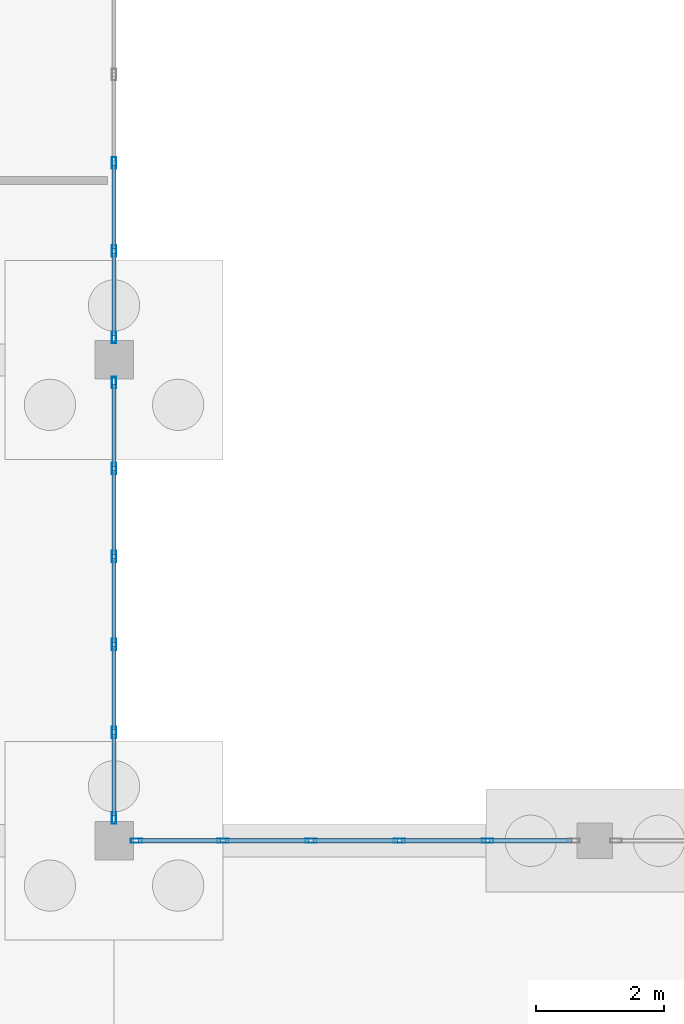
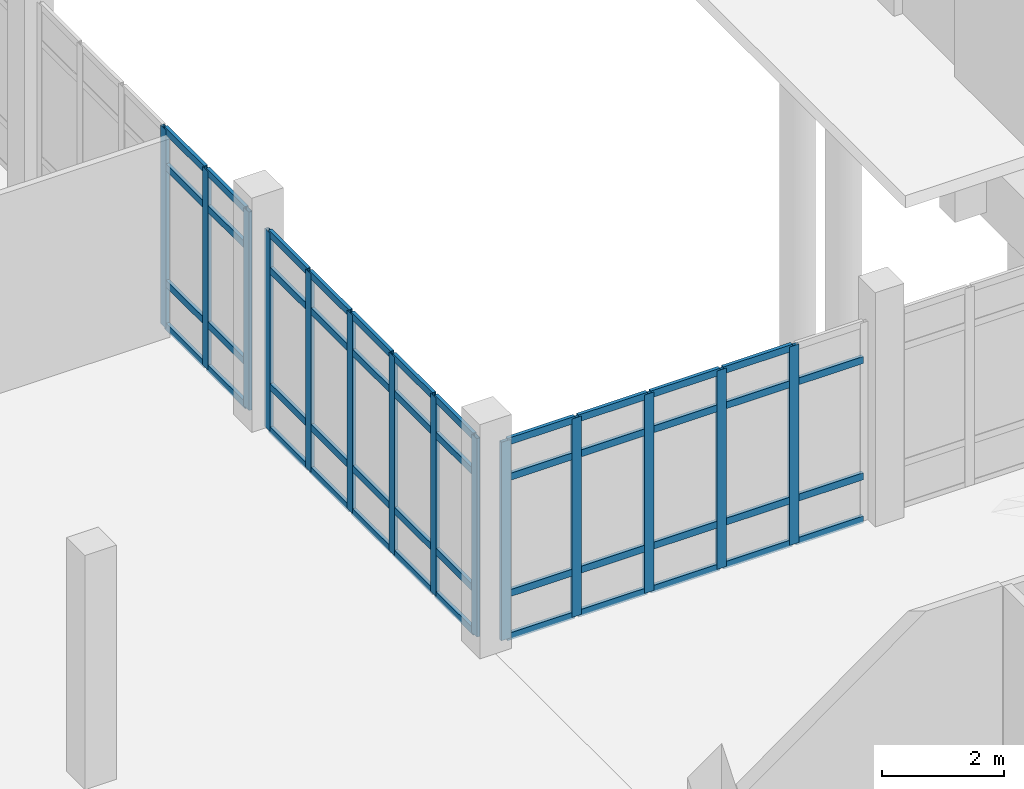
# One storey, part 47 of 173: 61 members, 3 elements without a shape of their own.
"""IFC4 building model written with IfcOpenShell, lengths in metres."""

from ifc_helpers import new_model, si_unit, direction, frame, origin, origin_2d, place, context, subcontext, project, spatial, hollow_rectangle, extrude, material, layer, layer_set, material_profile, profile_set, type_object, element, aggregate, save


model = new_model("IFC4")

# Units and contexts
model_context = context("Model", 3, precision=1e-05, world=origin(), true_north=direction((0.0, 1.0)))
body_context = subcontext(model_context, "Body", "Model", "MODEL_VIEW")
ifc_project = project(units=[si_unit("LENGTHUNIT", "METRE"), si_unit("AREAUNIT", "SQUARE_METRE"), si_unit("VOLUMEUNIT", "CUBIC_METRE"), si_unit("PLANEANGLEUNIT", "RADIAN"), si_unit("MASSUNIT", "GRAM", prefix="KILO")], contexts=[model_context])

# Site, building, storey
site_placement = place(None, origin())
site = spatial("IfcSite", under=ifc_project, at=site_placement, CompositionType="ELEMENT")
building_placement = place(site_placement, origin())
building = spatial("IfcBuilding", under=site, at=building_placement, Name="Mawjan Specialist Oncology Clinic", CompositionType="ELEMENT")
storey_placement = place(building_placement, origin())
storey = spatial("IfcBuildingStorey", under=building, at=storey_placement, Name="L00", CompositionType="ELEMENT", Elevation=0.0)

# Curtain wall, members
ifc_material_1 = material(Name="Unitised spectrally selective aluminium curtain wall", Category="aluminium")
ifc_layer_1 = layer(ifc_material_1, 0.179931640625, Name="Unitised spectrally selective aluminium curtain wall", Category="aluminium")
ifc_layer_set_1 = layer_set([ifc_layer_1], Name="Unitised spectrally selective aluminium curtain wall")
curtain_wall_type_1 = type_object("IfcCurtainWallType", Name="CW-22", PredefinedType="NOTDEFINED", material=ifc_layer_set_1)
curtain_wall_1_placement = place(storey_placement, origin())
curtain_wall_1 = element("IfcCurtainWall", 1, at=curtain_wall_1_placement, inside=storey, type_object=curtain_wall_type_1, Name="L00 Unitised Curtain Wall CW-L00-039", PredefinedType="NOTDEFINED")
ifc_material_2 = material(Name="Thermally broken aluminium 6063-T6", Category="aluminium")
ifc_material_profile_1 = material_profile(ifc_material_2, hollow_rectangle(XDim=0.06494140625, YDim=0.179931640625, WallThickness=0.00390625, at=origin_2d()), Name="ALU MULLION 180x65x4", Category="aluminium")
ifc_profile_set_1 = profile_set([ifc_material_profile_1], Name="Thermally broken aluminium 6063-T6")
member_type_1 = type_object("IfcMemberType", Name="CW-M180", PredefinedType="MULLION", material=ifc_profile_set_1)
member_1_placement = place(storey_placement, frame((45.3525390625, 53.300048828125, 0.0), z_axis=(0.0, 0.0, 1.0), x_axis=(0.0, 1.0, 0.0)))
member_1 = element("IfcMember", 2, at=member_1_placement, type_object=member_type_1, Name="CW-22 mullion 1", PredefinedType="MULLION", context=body_context, shape_type="SweptSolid", body=[
    extrude(hollow_rectangle(XDim=0.06494140625, YDim=0.179931640625, WallThickness=0.00390625, at=origin_2d()), origin(), (0.0, 0.0, 1.0), 3.985107421875),
])
member_2_placement = place(storey_placement, frame((46.697021484375, 53.300048828125, 0.0), z_axis=(0.0, 0.0, 1.0), x_axis=(0.0, 1.0, 0.0)))
member_2 = element("IfcMember", 3, at=member_2_placement, type_object=member_type_1, Name="CW-22 mullion 2", PredefinedType="MULLION", context=body_context, shape_type="SweptSolid", body=[
    extrude(hollow_rectangle(XDim=0.06494140625, YDim=0.179931640625, WallThickness=0.00390625, at=origin_2d()), origin(), (0.0, 0.0, 1.0), 3.985107421875),
])
member_3_placement = place(storey_placement, frame((48.073974609375, 53.300048828125, 0.0), z_axis=(0.0, 0.0, 1.0), x_axis=(0.0, 1.0, 0.0)))
member_3 = element("IfcMember", 4, at=member_3_placement, type_object=member_type_1, Name="CW-22 mullion 3", PredefinedType="MULLION", context=body_context, shape_type="SweptSolid", body=[
    extrude(hollow_rectangle(XDim=0.06494140625, YDim=0.179931640625, WallThickness=0.00390625, at=origin_2d()), origin(), (0.0, 0.0, 1.0), 3.985107421875),
])
member_4_placement = place(storey_placement, frame((49.450927734375, 53.300048828125, 0.0), z_axis=(0.0, 0.0, 1.0), x_axis=(0.0, 1.0, 0.0)))
member_4 = element("IfcMember", 5, at=member_4_placement, type_object=member_type_1, Name="CW-22 mullion 4", PredefinedType="MULLION", context=body_context, shape_type="SweptSolid", body=[
    extrude(hollow_rectangle(XDim=0.06494140625, YDim=0.179931640625, WallThickness=0.00390625, at=origin_2d()), origin(), (0.0, 0.0, 1.0), 3.985107421875),
])
member_5_placement = place(storey_placement, frame((50.827880859375, 53.300048828125, 0.0), z_axis=(0.0, 0.0, 1.0), x_axis=(0.0, 1.0, 0.0)))
member_5 = element("IfcMember", 6, at=member_5_placement, type_object=member_type_1, Name="CW-22 mullion 5", PredefinedType="MULLION", context=body_context, shape_type="SweptSolid", body=[
    extrude(hollow_rectangle(XDim=0.06494140625, YDim=0.179931640625, WallThickness=0.00390625, at=origin_2d()), origin(), (0.0, 0.0, 1.0), 3.985107421875),
])

curtain_wall_2_placement = place(storey_placement, origin())
curtain_wall_2 = element("IfcCurtainWall", 7, at=curtain_wall_2_placement, inside=storey, type_object=curtain_wall_type_1, Name="L00 Unitised Curtain Wall CW-L00-046", PredefinedType="NOTDEFINED")
member_6_placement = place(storey_placement, frame((45.0, 63.8740234375, 0.0), z_axis=(0.0, 0.0, 1.0), x_axis=(1.0, 0.0, 0.0)))
member_6 = element("IfcMember", 8, at=member_6_placement, type_object=member_type_1, Name="CW-22 mullion 4", PredefinedType="MULLION", context=body_context, shape_type="SweptSolid", body=[
    extrude(hollow_rectangle(XDim=0.06494140625, YDim=0.179931640625, WallThickness=0.00390625, at=origin_2d()), origin(), (0.0, 0.0, 1.0), 3.985107421875),
])
member_7_placement = place(storey_placement, frame((45.0, 62.4970703125, 0.0), z_axis=(0.0, 0.0, 1.0), x_axis=(1.0, 0.0, 0.0)))
member_7 = element("IfcMember", 9, at=member_7_placement, type_object=member_type_1, Name="CW-22 mullion 5", PredefinedType="MULLION", context=body_context, shape_type="SweptSolid", body=[
    extrude(hollow_rectangle(XDim=0.06494140625, YDim=0.179931640625, WallThickness=0.00390625, at=origin_2d()), origin(), (0.0, 0.0, 1.0), 3.985107421875),
])
member_8_placement = place(storey_placement, frame((45.0, 61.152587890625, 0.0), z_axis=(0.0, 0.0, 1.0), x_axis=(1.0, 0.0, 0.0)))
member_8 = element("IfcMember", 10, at=member_8_placement, type_object=member_type_1, Name="CW-22 mullion 6", PredefinedType="MULLION", context=body_context, shape_type="SweptSolid", body=[
    extrude(hollow_rectangle(XDim=0.06494140625, YDim=0.179931640625, WallThickness=0.00390625, at=origin_2d()), origin(), (0.0, 0.0, 1.0), 3.985107421875),
])

ifc_material_3 = material(Name="Unitised spectrally selective aluminium curtain wall", Category="aluminium")
ifc_layer_2 = layer(ifc_material_3, 0.179931640625, Name="Unitised spectrally selective aluminium curtain wall", Category="aluminium")
ifc_layer_set_2 = layer_set([ifc_layer_2], Name="Unitised spectrally selective aluminium curtain wall")
curtain_wall_type_2 = type_object("IfcCurtainWallType", Name="CW-27", PredefinedType="NOTDEFINED", material=ifc_layer_set_2)
curtain_wall_3_placement = place(storey_placement, origin())
curtain_wall_3 = element("IfcCurtainWall", 11, at=curtain_wall_3_placement, inside=storey, type_object=curtain_wall_type_2, Name="L00 Unitised Curtain Wall CW-L00-047", PredefinedType="NOTDEFINED")
member_9_placement = place(storey_placement, frame((45.0, 60.447509765625, 0.0), z_axis=(0.0, 0.0, 1.0), x_axis=(1.0, 0.0, 0.0)))
member_9 = element("IfcMember", 12, at=member_9_placement, type_object=member_type_1, Name="CW-27 mullion 1", PredefinedType="MULLION", context=body_context, shape_type="SweptSolid", body=[
    extrude(hollow_rectangle(XDim=0.06494140625, YDim=0.179931640625, WallThickness=0.00390625, at=origin_2d()), origin(), (0.0, 0.0, 1.0), 3.985107421875),
])
member_10_placement = place(storey_placement, frame((45.0, 59.10791015625, 0.0), z_axis=(0.0, 0.0, 1.0), x_axis=(1.0, 0.0, 0.0)))
member_10 = element("IfcMember", 13, at=member_10_placement, type_object=member_type_1, Name="CW-27 mullion 2", PredefinedType="MULLION", context=body_context, shape_type="SweptSolid", body=[
    extrude(hollow_rectangle(XDim=0.06494140625, YDim=0.179931640625, WallThickness=0.00390625, at=origin_2d()), origin(), (0.0, 0.0, 1.0), 3.985107421875),
])
member_11_placement = place(storey_placement, frame((45.0, 57.736083984375, 0.0), z_axis=(0.0, 0.0, 1.0), x_axis=(1.0, 0.0, 0.0)))
member_11 = element("IfcMember", 14, at=member_11_placement, type_object=member_type_1, Name="CW-27 mullion 3", PredefinedType="MULLION", context=body_context, shape_type="SweptSolid", body=[
    extrude(hollow_rectangle(XDim=0.06494140625, YDim=0.179931640625, WallThickness=0.00390625, at=origin_2d()), origin(), (0.0, 0.0, 1.0), 3.985107421875),
])
member_12_placement = place(storey_placement, frame((45.0, 56.364013671875, 0.0), z_axis=(0.0, 0.0, 1.0), x_axis=(1.0, 0.0, 0.0)))
member_12 = element("IfcMember", 15, at=member_12_placement, type_object=member_type_1, Name="CW-27 mullion 4", PredefinedType="MULLION", context=body_context, shape_type="SweptSolid", body=[
    extrude(hollow_rectangle(XDim=0.06494140625, YDim=0.179931640625, WallThickness=0.00390625, at=origin_2d()), origin(), (0.0, 0.0, 1.0), 3.985107421875),
])
member_13_placement = place(storey_placement, frame((45.0, 54.991943359375, 0.0), z_axis=(0.0, 0.0, 1.0), x_axis=(1.0, 0.0, 0.0)))
member_13 = element("IfcMember", 16, at=member_13_placement, type_object=member_type_1, Name="CW-27 mullion 5", PredefinedType="MULLION", context=body_context, shape_type="SweptSolid", body=[
    extrude(hollow_rectangle(XDim=0.06494140625, YDim=0.179931640625, WallThickness=0.00390625, at=origin_2d()), origin(), (0.0, 0.0, 1.0), 3.985107421875),
])
member_14_placement = place(storey_placement, frame((45.0, 53.652587890625, 0.0), z_axis=(0.0, 0.0, 1.0), x_axis=(1.0, 0.0, 0.0)))
member_14 = element("IfcMember", 17, at=member_14_placement, type_object=member_type_1, Name="CW-27 mullion 6", PredefinedType="MULLION", context=body_context, shape_type="SweptSolid", body=[
    extrude(hollow_rectangle(XDim=0.06494140625, YDim=0.179931640625, WallThickness=0.00390625, at=origin_2d()), origin(), (0.0, 0.0, 1.0), 3.985107421875),
])

# Member
ifc_material_4 = material(Name="Thermally broken aluminium 6063-T6", Category="aluminium")
ifc_material_profile_2 = material_profile(ifc_material_4, hollow_rectangle(XDim=0.06494140625, YDim=0.139892578125, WallThickness=0.00390625, at=origin_2d()), Name="ALU TRANSOM 140x65x4", Category="aluminium")
ifc_profile_set_2 = profile_set([ifc_material_profile_2], Name="Thermally broken aluminium 6063-T6")
member_type_2 = type_object("IfcMemberType", Name="CW-T140", PredefinedType="USERDEFINED", material=ifc_profile_set_2)
member_15_placement = place(storey_placement, frame((45.385009765625, 53.300048828125, 0.032470703125), z_axis=(1.0, 0.0, 0.0), x_axis=(0.0, 1.0, 0.0)))
member_15 = element("IfcMember", 18, at=member_15_placement, type_object=member_type_2, Name="CW-22 transom 1.1", ObjectType="TRANSOM", PredefinedType="USERDEFINED", context=body_context, shape_type="SweptSolid", body=[
    extrude(hollow_rectangle(XDim=0.06494140625, YDim=0.139892578125, WallThickness=0.00390625, at=origin_2d()), origin(), (0.0, 0.0, 1.0), 1.279541015625),
])

member_16_placement = place(storey_placement, frame((45.385009765625, 53.300048828125, 0.89990234375), z_axis=(1.0, 0.0, 0.0), x_axis=(0.0, 1.0, 0.0)))
member_16 = element("IfcMember", 19, at=member_16_placement, type_object=member_type_2, Name="CW-22 transom 1.2", ObjectType="TRANSOM", PredefinedType="USERDEFINED", context=body_context, shape_type="SweptSolid", body=[
    extrude(hollow_rectangle(XDim=0.06494140625, YDim=0.139892578125, WallThickness=0.00390625, at=origin_2d()), origin(), (0.0, 0.0, 1.0), 1.279541015625),
])

member_17_placement = place(storey_placement, frame((45.385009765625, 53.300048828125, 3.235107421875), z_axis=(1.0, 0.0, 0.0), x_axis=(0.0, 1.0, 0.0)))
member_17 = element("IfcMember", 20, at=member_17_placement, type_object=member_type_2, Name="CW-22 transom 1.3", ObjectType="TRANSOM", PredefinedType="USERDEFINED", context=body_context, shape_type="SweptSolid", body=[
    extrude(hollow_rectangle(XDim=0.06494140625, YDim=0.139892578125, WallThickness=0.00390625, at=origin_2d()), origin(), (0.0, 0.0, 1.0), 1.279541015625),
])

member_18_placement = place(storey_placement, frame((45.385009765625, 53.300048828125, 3.952392578125), z_axis=(1.0, 0.0, 0.0), x_axis=(0.0, 1.0, 0.0)))
member_18 = element("IfcMember", 21, at=member_18_placement, type_object=member_type_2, Name="CW-22 transom 1.4", ObjectType="TRANSOM", PredefinedType="USERDEFINED", context=body_context, shape_type="SweptSolid", body=[
    extrude(hollow_rectangle(XDim=0.06494140625, YDim=0.139892578125, WallThickness=0.00390625, at=origin_2d()), origin(), (0.0, 0.0, 1.0), 1.279541015625),
])

member_19_placement = place(storey_placement, frame((46.7294921875, 53.300048828125, 0.032470703125), z_axis=(1.0, 0.0, 0.0), x_axis=(0.0, 1.0, 0.0)))
member_19 = element("IfcMember", 22, at=member_19_placement, type_object=member_type_2, Name="CW-22 transom 2.1", ObjectType="TRANSOM", PredefinedType="USERDEFINED", context=body_context, shape_type="SweptSolid", body=[
    extrude(hollow_rectangle(XDim=0.06494140625, YDim=0.139892578125, WallThickness=0.00390625, at=origin_2d()), origin(), (0.0, 0.0, 1.0), 1.31201171875),
])

member_20_placement = place(storey_placement, frame((46.7294921875, 53.300048828125, 0.89990234375), z_axis=(1.0, 0.0, 0.0), x_axis=(0.0, 1.0, 0.0)))
member_20 = element("IfcMember", 23, at=member_20_placement, type_object=member_type_2, Name="CW-22 transom 2.2", ObjectType="TRANSOM", PredefinedType="USERDEFINED", context=body_context, shape_type="SweptSolid", body=[
    extrude(hollow_rectangle(XDim=0.06494140625, YDim=0.139892578125, WallThickness=0.00390625, at=origin_2d()), origin(), (0.0, 0.0, 1.0), 1.31201171875),
])

member_21_placement = place(storey_placement, frame((46.7294921875, 53.300048828125, 3.235107421875), z_axis=(1.0, 0.0, 0.0), x_axis=(0.0, 1.0, 0.0)))
member_21 = element("IfcMember", 24, at=member_21_placement, type_object=member_type_2, Name="CW-22 transom 2.3", ObjectType="TRANSOM", PredefinedType="USERDEFINED", context=body_context, shape_type="SweptSolid", body=[
    extrude(hollow_rectangle(XDim=0.06494140625, YDim=0.139892578125, WallThickness=0.00390625, at=origin_2d()), origin(), (0.0, 0.0, 1.0), 1.31201171875),
])

member_22_placement = place(storey_placement, frame((46.7294921875, 53.300048828125, 3.952392578125), z_axis=(1.0, 0.0, 0.0), x_axis=(0.0, 1.0, 0.0)))
member_22 = element("IfcMember", 25, at=member_22_placement, type_object=member_type_2, Name="CW-22 transom 2.4", ObjectType="TRANSOM", PredefinedType="USERDEFINED", context=body_context, shape_type="SweptSolid", body=[
    extrude(hollow_rectangle(XDim=0.06494140625, YDim=0.139892578125, WallThickness=0.00390625, at=origin_2d()), origin(), (0.0, 0.0, 1.0), 1.31201171875),
])

member_23_placement = place(storey_placement, frame((48.1064453125, 53.300048828125, 0.032470703125), z_axis=(1.0, 0.0, 0.0), x_axis=(0.0, 1.0, 0.0)))
member_23 = element("IfcMember", 26, at=member_23_placement, type_object=member_type_2, Name="CW-22 transom 3.1", ObjectType="TRANSOM", PredefinedType="USERDEFINED", context=body_context, shape_type="SweptSolid", body=[
    extrude(hollow_rectangle(XDim=0.06494140625, YDim=0.139892578125, WallThickness=0.00390625, at=origin_2d()), origin(), (0.0, 0.0, 1.0), 1.31201171875),
])

member_24_placement = place(storey_placement, frame((48.1064453125, 53.300048828125, 0.89990234375), z_axis=(1.0, 0.0, 0.0), x_axis=(0.0, 1.0, 0.0)))
member_24 = element("IfcMember", 27, at=member_24_placement, type_object=member_type_2, Name="CW-22 transom 3.2", ObjectType="TRANSOM", PredefinedType="USERDEFINED", context=body_context, shape_type="SweptSolid", body=[
    extrude(hollow_rectangle(XDim=0.06494140625, YDim=0.139892578125, WallThickness=0.00390625, at=origin_2d()), origin(), (0.0, 0.0, 1.0), 1.31201171875),
])

member_25_placement = place(storey_placement, frame((48.1064453125, 53.300048828125, 3.235107421875), z_axis=(1.0, 0.0, 0.0), x_axis=(0.0, 1.0, 0.0)))
member_25 = element("IfcMember", 28, at=member_25_placement, type_object=member_type_2, Name="CW-22 transom 3.3", ObjectType="TRANSOM", PredefinedType="USERDEFINED", context=body_context, shape_type="SweptSolid", body=[
    extrude(hollow_rectangle(XDim=0.06494140625, YDim=0.139892578125, WallThickness=0.00390625, at=origin_2d()), origin(), (0.0, 0.0, 1.0), 1.31201171875),
])

member_26_placement = place(storey_placement, frame((48.1064453125, 53.300048828125, 3.952392578125), z_axis=(1.0, 0.0, 0.0), x_axis=(0.0, 1.0, 0.0)))
member_26 = element("IfcMember", 29, at=member_26_placement, type_object=member_type_2, Name="CW-22 transom 3.4", ObjectType="TRANSOM", PredefinedType="USERDEFINED", context=body_context, shape_type="SweptSolid", body=[
    extrude(hollow_rectangle(XDim=0.06494140625, YDim=0.139892578125, WallThickness=0.00390625, at=origin_2d()), origin(), (0.0, 0.0, 1.0), 1.31201171875),
])

member_27_placement = place(storey_placement, frame((49.4833984375, 53.300048828125, 0.032470703125), z_axis=(1.0, 0.0, 0.0), x_axis=(0.0, 1.0, 0.0)))
member_27 = element("IfcMember", 30, at=member_27_placement, type_object=member_type_2, Name="CW-22 transom 4.1", ObjectType="TRANSOM", PredefinedType="USERDEFINED", context=body_context, shape_type="SweptSolid", body=[
    extrude(hollow_rectangle(XDim=0.06494140625, YDim=0.139892578125, WallThickness=0.00390625, at=origin_2d()), origin(), (0.0, 0.0, 1.0), 1.31201171875),
])

member_28_placement = place(storey_placement, frame((49.4833984375, 53.300048828125, 0.89990234375), z_axis=(1.0, 0.0, 0.0), x_axis=(0.0, 1.0, 0.0)))
member_28 = element("IfcMember", 31, at=member_28_placement, type_object=member_type_2, Name="CW-22 transom 4.2", ObjectType="TRANSOM", PredefinedType="USERDEFINED", context=body_context, shape_type="SweptSolid", body=[
    extrude(hollow_rectangle(XDim=0.06494140625, YDim=0.139892578125, WallThickness=0.00390625, at=origin_2d()), origin(), (0.0, 0.0, 1.0), 1.31201171875),
])

member_29_placement = place(storey_placement, frame((49.4833984375, 53.300048828125, 3.235107421875), z_axis=(1.0, 0.0, 0.0), x_axis=(0.0, 1.0, 0.0)))
member_29 = element("IfcMember", 32, at=member_29_placement, type_object=member_type_2, Name="CW-22 transom 4.3", ObjectType="TRANSOM", PredefinedType="USERDEFINED", context=body_context, shape_type="SweptSolid", body=[
    extrude(hollow_rectangle(XDim=0.06494140625, YDim=0.139892578125, WallThickness=0.00390625, at=origin_2d()), origin(), (0.0, 0.0, 1.0), 1.31201171875),
])

member_30_placement = place(storey_placement, frame((49.4833984375, 53.300048828125, 3.952392578125), z_axis=(1.0, 0.0, 0.0), x_axis=(0.0, 1.0, 0.0)))
member_30 = element("IfcMember", 33, at=member_30_placement, type_object=member_type_2, Name="CW-22 transom 4.4", ObjectType="TRANSOM", PredefinedType="USERDEFINED", context=body_context, shape_type="SweptSolid", body=[
    extrude(hollow_rectangle(XDim=0.06494140625, YDim=0.139892578125, WallThickness=0.00390625, at=origin_2d()), origin(), (0.0, 0.0, 1.0), 1.31201171875),
])

member_31_placement = place(storey_placement, frame((50.860595703125, 53.300048828125, 0.032470703125), z_axis=(1.0, 0.0, 0.0), x_axis=(0.0, 1.0, 0.0)))
member_31 = element("IfcMember", 34, at=member_31_placement, type_object=member_type_2, Name="CW-22 transom 5.1", ObjectType="TRANSOM", PredefinedType="USERDEFINED", context=body_context, shape_type="SweptSolid", body=[
    extrude(hollow_rectangle(XDim=0.06494140625, YDim=0.139892578125, WallThickness=0.00390625, at=origin_2d()), origin(), (0.0, 0.0, 1.0), 1.279296875),
])

member_32_placement = place(storey_placement, frame((50.860595703125, 53.300048828125, 0.89990234375), z_axis=(1.0, 0.0, 0.0), x_axis=(0.0, 1.0, 0.0)))
member_32 = element("IfcMember", 35, at=member_32_placement, type_object=member_type_2, Name="CW-22 transom 5.2", ObjectType="TRANSOM", PredefinedType="USERDEFINED", context=body_context, shape_type="SweptSolid", body=[
    extrude(hollow_rectangle(XDim=0.06494140625, YDim=0.139892578125, WallThickness=0.00390625, at=origin_2d()), origin(), (0.0, 0.0, 1.0), 1.279296875),
])

member_33_placement = place(storey_placement, frame((50.860595703125, 53.300048828125, 3.235107421875), z_axis=(1.0, 0.0, 0.0), x_axis=(0.0, 1.0, 0.0)))
member_33 = element("IfcMember", 36, at=member_33_placement, type_object=member_type_2, Name="CW-22 transom 5.3", ObjectType="TRANSOM", PredefinedType="USERDEFINED", context=body_context, shape_type="SweptSolid", body=[
    extrude(hollow_rectangle(XDim=0.06494140625, YDim=0.139892578125, WallThickness=0.00390625, at=origin_2d()), origin(), (0.0, 0.0, 1.0), 1.279296875),
])

aggregate(curtain_wall_1, [member_1, member_2, member_3, member_4, member_5, member_15, member_16, member_17, member_18, member_19, member_20, member_21, member_22, member_23, member_24, member_25, member_26, member_27, member_28, member_29, member_30, member_31, member_32, member_33])

member_34_placement = place(storey_placement, frame((45.0, 63.841552734375, 0.032470703125), z_axis=(0.0, -1.0, 0.0), x_axis=(1.0, 0.0, 0.0)))
member_34 = element("IfcMember", 37, at=member_34_placement, type_object=member_type_2, Name="CW-22 transom 4.1", ObjectType="TRANSOM", PredefinedType="USERDEFINED", context=body_context, shape_type="SweptSolid", body=[
    extrude(hollow_rectangle(XDim=0.06494140625, YDim=0.139892578125, WallThickness=0.00390625, at=origin_2d()), origin(), (0.0, 0.0, 1.0), 1.31201171875),
])

member_35_placement = place(storey_placement, frame((45.0, 63.841552734375, 0.89990234375), z_axis=(0.0, -1.0, 0.0), x_axis=(1.0, 0.0, 0.0)))
member_35 = element("IfcMember", 38, at=member_35_placement, type_object=member_type_2, Name="CW-22 transom 4.2", ObjectType="TRANSOM", PredefinedType="USERDEFINED", context=body_context, shape_type="SweptSolid", body=[
    extrude(hollow_rectangle(XDim=0.06494140625, YDim=0.139892578125, WallThickness=0.00390625, at=origin_2d()), origin(), (0.0, 0.0, 1.0), 1.31201171875),
])

member_36_placement = place(storey_placement, frame((45.0, 63.841552734375, 3.235107421875), z_axis=(0.0, -1.0, 0.0), x_axis=(1.0, 0.0, 0.0)))
member_36 = element("IfcMember", 39, at=member_36_placement, type_object=member_type_2, Name="CW-22 transom 4.3", ObjectType="TRANSOM", PredefinedType="USERDEFINED", context=body_context, shape_type="SweptSolid", body=[
    extrude(hollow_rectangle(XDim=0.06494140625, YDim=0.139892578125, WallThickness=0.00390625, at=origin_2d()), origin(), (0.0, 0.0, 1.0), 1.31201171875),
])

member_37_placement = place(storey_placement, frame((45.0, 63.841552734375, 3.952392578125), z_axis=(0.0, -1.0, 0.0), x_axis=(1.0, 0.0, 0.0)))
member_37 = element("IfcMember", 40, at=member_37_placement, type_object=member_type_2, Name="CW-22 transom 4.4", ObjectType="TRANSOM", PredefinedType="USERDEFINED", context=body_context, shape_type="SweptSolid", body=[
    extrude(hollow_rectangle(XDim=0.06494140625, YDim=0.139892578125, WallThickness=0.00390625, at=origin_2d()), origin(), (0.0, 0.0, 1.0), 1.31201171875),
])

member_38_placement = place(storey_placement, frame((45.0, 62.464599609375, 0.032470703125), z_axis=(0.0, -1.0, 0.0), x_axis=(1.0, 0.0, 0.0)))
member_38 = element("IfcMember", 41, at=member_38_placement, type_object=member_type_2, Name="CW-22 transom 5.1", ObjectType="TRANSOM", PredefinedType="USERDEFINED", context=body_context, shape_type="SweptSolid", body=[
    extrude(hollow_rectangle(XDim=0.06494140625, YDim=0.139892578125, WallThickness=0.00390625, at=origin_2d()), origin(), (0.0, 0.0, 1.0), 1.279541015625),
])

member_39_placement = place(storey_placement, frame((45.0, 62.464599609375, 0.89990234375), z_axis=(0.0, -1.0, 0.0), x_axis=(1.0, 0.0, 0.0)))
member_39 = element("IfcMember", 42, at=member_39_placement, type_object=member_type_2, Name="CW-22 transom 5.2", ObjectType="TRANSOM", PredefinedType="USERDEFINED", context=body_context, shape_type="SweptSolid", body=[
    extrude(hollow_rectangle(XDim=0.06494140625, YDim=0.139892578125, WallThickness=0.00390625, at=origin_2d()), origin(), (0.0, 0.0, 1.0), 1.279541015625),
])

member_40_placement = place(storey_placement, frame((45.0, 62.464599609375, 3.235107421875), z_axis=(0.0, -1.0, 0.0), x_axis=(1.0, 0.0, 0.0)))
member_40 = element("IfcMember", 43, at=member_40_placement, type_object=member_type_2, Name="CW-22 transom 5.3", ObjectType="TRANSOM", PredefinedType="USERDEFINED", context=body_context, shape_type="SweptSolid", body=[
    extrude(hollow_rectangle(XDim=0.06494140625, YDim=0.139892578125, WallThickness=0.00390625, at=origin_2d()), origin(), (0.0, 0.0, 1.0), 1.279541015625),
])

member_41_placement = place(storey_placement, frame((45.0, 62.464599609375, 3.952392578125), z_axis=(0.0, -1.0, 0.0), x_axis=(1.0, 0.0, 0.0)))
member_41 = element("IfcMember", 44, at=member_41_placement, type_object=member_type_2, Name="CW-22 transom 5.4", ObjectType="TRANSOM", PredefinedType="USERDEFINED", context=body_context, shape_type="SweptSolid", body=[
    extrude(hollow_rectangle(XDim=0.06494140625, YDim=0.139892578125, WallThickness=0.00390625, at=origin_2d()), origin(), (0.0, 0.0, 1.0), 1.279541015625),
])

aggregate(curtain_wall_2, [member_6, member_7, member_8, member_34, member_35, member_36, member_37, member_38, member_39, member_40, member_41])

member_42_placement = place(storey_placement, frame((45.0, 60.4150390625, 0.032470703125), z_axis=(0.0, -1.0, 0.0), x_axis=(1.0, 0.0, 0.0)))
member_42 = element("IfcMember", 45, at=member_42_placement, type_object=member_type_2, Name="CW-27 transom 1.1", ObjectType="TRANSOM", PredefinedType="USERDEFINED", context=body_context, shape_type="SweptSolid", body=[
    extrude(hollow_rectangle(XDim=0.06494140625, YDim=0.139892578125, WallThickness=0.00390625, at=origin_2d()), origin(), (0.0, 0.0, 1.0), 1.274658203125),
])

member_43_placement = place(storey_placement, frame((45.0, 60.4150390625, 0.89990234375), z_axis=(0.0, -1.0, 0.0), x_axis=(1.0, 0.0, 0.0)))
member_43 = element("IfcMember", 46, at=member_43_placement, type_object=member_type_2, Name="CW-27 transom 1.2", ObjectType="TRANSOM", PredefinedType="USERDEFINED", context=body_context, shape_type="SweptSolid", body=[
    extrude(hollow_rectangle(XDim=0.06494140625, YDim=0.139892578125, WallThickness=0.00390625, at=origin_2d()), origin(), (0.0, 0.0, 1.0), 1.274658203125),
])

member_44_placement = place(storey_placement, frame((45.0, 60.4150390625, 3.235107421875), z_axis=(0.0, -1.0, 0.0), x_axis=(1.0, 0.0, 0.0)))
member_44 = element("IfcMember", 47, at=member_44_placement, type_object=member_type_2, Name="CW-27 transom 1.3", ObjectType="TRANSOM", PredefinedType="USERDEFINED", context=body_context, shape_type="SweptSolid", body=[
    extrude(hollow_rectangle(XDim=0.06494140625, YDim=0.139892578125, WallThickness=0.00390625, at=origin_2d()), origin(), (0.0, 0.0, 1.0), 1.274658203125),
])

member_45_placement = place(storey_placement, frame((45.0, 60.4150390625, 3.952392578125), z_axis=(0.0, -1.0, 0.0), x_axis=(1.0, 0.0, 0.0)))
member_45 = element("IfcMember", 48, at=member_45_placement, type_object=member_type_2, Name="CW-27 transom 1.4", ObjectType="TRANSOM", PredefinedType="USERDEFINED", context=body_context, shape_type="SweptSolid", body=[
    extrude(hollow_rectangle(XDim=0.06494140625, YDim=0.139892578125, WallThickness=0.00390625, at=origin_2d()), origin(), (0.0, 0.0, 1.0), 1.274658203125),
])

member_46_placement = place(storey_placement, frame((45.0, 59.075439453125, 0.032470703125), z_axis=(0.0, -1.0, 0.0), x_axis=(1.0, 0.0, 0.0)))
member_46 = element("IfcMember", 49, at=member_46_placement, type_object=member_type_2, Name="CW-27 transom 2.1", ObjectType="TRANSOM", PredefinedType="USERDEFINED", context=body_context, shape_type="SweptSolid", body=[
    extrude(hollow_rectangle(XDim=0.06494140625, YDim=0.139892578125, WallThickness=0.00390625, at=origin_2d()), origin(), (0.0, 0.0, 1.0), 1.306884765625),
])

member_47_placement = place(storey_placement, frame((45.0, 59.075439453125, 0.89990234375), z_axis=(0.0, -1.0, 0.0), x_axis=(1.0, 0.0, 0.0)))
member_47 = element("IfcMember", 50, at=member_47_placement, type_object=member_type_2, Name="CW-27 transom 2.2", ObjectType="TRANSOM", PredefinedType="USERDEFINED", context=body_context, shape_type="SweptSolid", body=[
    extrude(hollow_rectangle(XDim=0.06494140625, YDim=0.139892578125, WallThickness=0.00390625, at=origin_2d()), origin(), (0.0, 0.0, 1.0), 1.306884765625),
])

member_48_placement = place(storey_placement, frame((45.0, 59.075439453125, 3.235107421875), z_axis=(0.0, -1.0, 0.0), x_axis=(1.0, 0.0, 0.0)))
member_48 = element("IfcMember", 51, at=member_48_placement, type_object=member_type_2, Name="CW-27 transom 2.3", ObjectType="TRANSOM", PredefinedType="USERDEFINED", context=body_context, shape_type="SweptSolid", body=[
    extrude(hollow_rectangle(XDim=0.06494140625, YDim=0.139892578125, WallThickness=0.00390625, at=origin_2d()), origin(), (0.0, 0.0, 1.0), 1.306884765625),
])

member_49_placement = place(storey_placement, frame((45.0, 59.075439453125, 3.952392578125), z_axis=(0.0, -1.0, 0.0), x_axis=(1.0, 0.0, 0.0)))
member_49 = element("IfcMember", 52, at=member_49_placement, type_object=member_type_2, Name="CW-27 transom 2.4", ObjectType="TRANSOM", PredefinedType="USERDEFINED", context=body_context, shape_type="SweptSolid", body=[
    extrude(hollow_rectangle(XDim=0.06494140625, YDim=0.139892578125, WallThickness=0.00390625, at=origin_2d()), origin(), (0.0, 0.0, 1.0), 1.306884765625),
])

member_50_placement = place(storey_placement, frame((45.0, 57.70361328125, 0.032470703125), z_axis=(0.0, -1.0, 0.0), x_axis=(1.0, 0.0, 0.0)))
member_50 = element("IfcMember", 53, at=member_50_placement, type_object=member_type_2, Name="CW-27 transom 3.1", ObjectType="TRANSOM", PredefinedType="USERDEFINED", context=body_context, shape_type="SweptSolid", body=[
    extrude(hollow_rectangle(XDim=0.06494140625, YDim=0.139892578125, WallThickness=0.00390625, at=origin_2d()), origin(), (0.0, 0.0, 1.0), 1.30712890625),
])

member_51_placement = place(storey_placement, frame((45.0, 57.70361328125, 0.89990234375), z_axis=(0.0, -1.0, 0.0), x_axis=(1.0, 0.0, 0.0)))
member_51 = element("IfcMember", 54, at=member_51_placement, type_object=member_type_2, Name="CW-27 transom 3.2", ObjectType="TRANSOM", PredefinedType="USERDEFINED", context=body_context, shape_type="SweptSolid", body=[
    extrude(hollow_rectangle(XDim=0.06494140625, YDim=0.139892578125, WallThickness=0.00390625, at=origin_2d()), origin(), (0.0, 0.0, 1.0), 1.30712890625),
])

member_52_placement = place(storey_placement, frame((45.0, 57.70361328125, 3.235107421875), z_axis=(0.0, -1.0, 0.0), x_axis=(1.0, 0.0, 0.0)))
member_52 = element("IfcMember", 55, at=member_52_placement, type_object=member_type_2, Name="CW-27 transom 3.3", ObjectType="TRANSOM", PredefinedType="USERDEFINED", context=body_context, shape_type="SweptSolid", body=[
    extrude(hollow_rectangle(XDim=0.06494140625, YDim=0.139892578125, WallThickness=0.00390625, at=origin_2d()), origin(), (0.0, 0.0, 1.0), 1.30712890625),
])

member_53_placement = place(storey_placement, frame((45.0, 57.70361328125, 3.952392578125), z_axis=(0.0, -1.0, 0.0), x_axis=(1.0, 0.0, 0.0)))
member_53 = element("IfcMember", 56, at=member_53_placement, type_object=member_type_2, Name="CW-27 transom 3.4", ObjectType="TRANSOM", PredefinedType="USERDEFINED", context=body_context, shape_type="SweptSolid", body=[
    extrude(hollow_rectangle(XDim=0.06494140625, YDim=0.139892578125, WallThickness=0.00390625, at=origin_2d()), origin(), (0.0, 0.0, 1.0), 1.30712890625),
])

member_54_placement = place(storey_placement, frame((45.0, 56.33154296875, 0.032470703125), z_axis=(0.0, -1.0, 0.0), x_axis=(1.0, 0.0, 0.0)))
member_54 = element("IfcMember", 57, at=member_54_placement, type_object=member_type_2, Name="CW-27 transom 4.1", ObjectType="TRANSOM", PredefinedType="USERDEFINED", context=body_context, shape_type="SweptSolid", body=[
    extrude(hollow_rectangle(XDim=0.06494140625, YDim=0.139892578125, WallThickness=0.00390625, at=origin_2d()), origin(), (0.0, 0.0, 1.0), 1.30712890625),
])

member_55_placement = place(storey_placement, frame((45.0, 56.33154296875, 0.89990234375), z_axis=(0.0, -1.0, 0.0), x_axis=(1.0, 0.0, 0.0)))
member_55 = element("IfcMember", 58, at=member_55_placement, type_object=member_type_2, Name="CW-27 transom 4.2", ObjectType="TRANSOM", PredefinedType="USERDEFINED", context=body_context, shape_type="SweptSolid", body=[
    extrude(hollow_rectangle(XDim=0.06494140625, YDim=0.139892578125, WallThickness=0.00390625, at=origin_2d()), origin(), (0.0, 0.0, 1.0), 1.30712890625),
])

member_56_placement = place(storey_placement, frame((45.0, 56.33154296875, 3.235107421875), z_axis=(0.0, -1.0, 0.0), x_axis=(1.0, 0.0, 0.0)))
member_56 = element("IfcMember", 59, at=member_56_placement, type_object=member_type_2, Name="CW-27 transom 4.3", ObjectType="TRANSOM", PredefinedType="USERDEFINED", context=body_context, shape_type="SweptSolid", body=[
    extrude(hollow_rectangle(XDim=0.06494140625, YDim=0.139892578125, WallThickness=0.00390625, at=origin_2d()), origin(), (0.0, 0.0, 1.0), 1.30712890625),
])

member_57_placement = place(storey_placement, frame((45.0, 56.33154296875, 3.952392578125), z_axis=(0.0, -1.0, 0.0), x_axis=(1.0, 0.0, 0.0)))
member_57 = element("IfcMember", 60, at=member_57_placement, type_object=member_type_2, Name="CW-27 transom 4.4", ObjectType="TRANSOM", PredefinedType="USERDEFINED", context=body_context, shape_type="SweptSolid", body=[
    extrude(hollow_rectangle(XDim=0.06494140625, YDim=0.139892578125, WallThickness=0.00390625, at=origin_2d()), origin(), (0.0, 0.0, 1.0), 1.30712890625),
])

member_58_placement = place(storey_placement, frame((45.0, 54.95947265625, 0.032470703125), z_axis=(0.0, -1.0, 0.0), x_axis=(1.0, 0.0, 0.0)))
member_58 = element("IfcMember", 61, at=member_58_placement, type_object=member_type_2, Name="CW-27 transom 5.1", ObjectType="TRANSOM", PredefinedType="USERDEFINED", context=body_context, shape_type="SweptSolid", body=[
    extrude(hollow_rectangle(XDim=0.06494140625, YDim=0.139892578125, WallThickness=0.00390625, at=origin_2d()), origin(), (0.0, 0.0, 1.0), 1.2744140625),
])

member_59_placement = place(storey_placement, frame((45.0, 54.95947265625, 0.89990234375), z_axis=(0.0, -1.0, 0.0), x_axis=(1.0, 0.0, 0.0)))
member_59 = element("IfcMember", 62, at=member_59_placement, type_object=member_type_2, Name="CW-27 transom 5.2", ObjectType="TRANSOM", PredefinedType="USERDEFINED", context=body_context, shape_type="SweptSolid", body=[
    extrude(hollow_rectangle(XDim=0.06494140625, YDim=0.139892578125, WallThickness=0.00390625, at=origin_2d()), origin(), (0.0, 0.0, 1.0), 1.2744140625),
])

member_60_placement = place(storey_placement, frame((45.0, 54.95947265625, 3.235107421875), z_axis=(0.0, -1.0, 0.0), x_axis=(1.0, 0.0, 0.0)))
member_60 = element("IfcMember", 63, at=member_60_placement, type_object=member_type_2, Name="CW-27 transom 5.3", ObjectType="TRANSOM", PredefinedType="USERDEFINED", context=body_context, shape_type="SweptSolid", body=[
    extrude(hollow_rectangle(XDim=0.06494140625, YDim=0.139892578125, WallThickness=0.00390625, at=origin_2d()), origin(), (0.0, 0.0, 1.0), 1.2744140625),
])

member_61_placement = place(storey_placement, frame((45.0, 54.95947265625, 3.952392578125), z_axis=(0.0, -1.0, 0.0), x_axis=(1.0, 0.0, 0.0)))
member_61 = element("IfcMember", 64, at=member_61_placement, type_object=member_type_2, Name="CW-27 transom 5.4", ObjectType="TRANSOM", PredefinedType="USERDEFINED", context=body_context, shape_type="SweptSolid", body=[
    extrude(hollow_rectangle(XDim=0.06494140625, YDim=0.139892578125, WallThickness=0.00390625, at=origin_2d()), origin(), (0.0, 0.0, 1.0), 1.2744140625),
])

aggregate(curtain_wall_3, [member_9, member_10, member_11, member_12, member_13, member_14, member_42, member_43, member_44, member_45, member_46, member_47, member_48, member_49, member_50, member_51, member_52, member_53, member_54, member_55, member_56, member_57, member_58, member_59, member_60, member_61])

save(model, "model.ifc")
